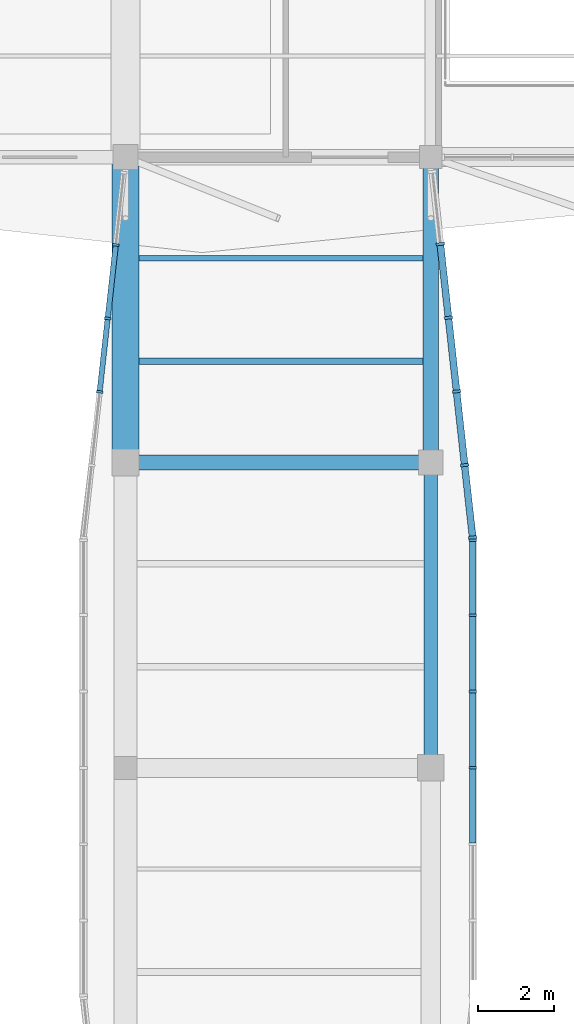
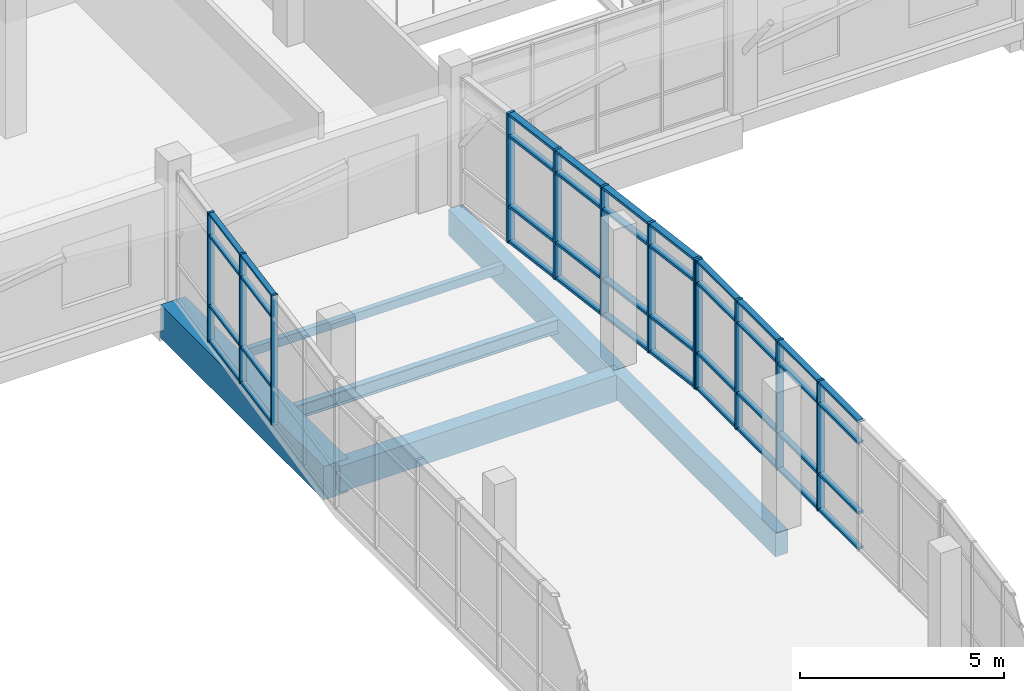
# One storey, part 13 of 84: 52 members, 6 beams, 3 elements without a shape of their own.
"""IFC4 building model written with IfcOpenShell, lengths in metres."""

from ifc_helpers import new_model, si_unit, direction, frame, origin, origin_2d, place, context, subcontext, project, spatial, rectangle, hollow_rectangle, i_section, extrude, material, material_profile, profile_set, type_object, element, aggregate, save


model = new_model("IFC4")

# Units and contexts
model_context = context("Model", 3, precision=1e-05, world=origin(), true_north=direction((0.0, 1.0)))
body_context = subcontext(model_context, "Body", "Model", "MODEL_VIEW")
ifc_project = project(units=[si_unit("LENGTHUNIT", "METRE"), si_unit("AREAUNIT", "SQUARE_METRE"), si_unit("VOLUMEUNIT", "CUBIC_METRE"), si_unit("PLANEANGLEUNIT", "RADIAN"), si_unit("MASSUNIT", "GRAM", prefix="KILO")], contexts=[model_context])

# Site, building, storey
site_placement = place(None, origin())
site = spatial("IfcSite", under=ifc_project, at=site_placement, CompositionType="ELEMENT")
building_placement = place(site_placement, origin())
building = spatial("IfcBuilding", under=site, at=building_placement, Name="Tenunan Teduh Sports Hall", CompositionType="ELEMENT")
storey_placement = place(building_placement, frame((0.0, 0.0, 10.800048828125)))
storey = spatial("IfcBuildingStorey", under=building, at=storey_placement, Name="L02", CompositionType="ELEMENT", Elevation=10.800048828125)

# Beams
ifc_material_1 = material(Name="Concrete C40/50", Category="concrete")
ifc_material_profile_1 = material_profile(ifc_material_1, rectangle(XDim=0.699951171875, YDim=1.0, at=origin_2d()), Name="RCB 700x1000")
ifc_profile_set_1 = profile_set([ifc_material_profile_1], Name="Concrete C40/50")
beam_type_1 = type_object("IfcBeamType", Name="BM-RC-700x1000", PredefinedType="SPANDREL", material=ifc_profile_set_1)
beam_1_placement = place(storey_placement, frame((14.0, 70.0, -0.760009765625), z_axis=(0.0, 1.0, 0.0), x_axis=(-1.0, 0.0, 0.0)))
element("IfcBeam", 1, at=beam_1_placement, inside=storey, type_object=beam_type_1, Name="BM-B-19-L02-1578", PredefinedType="SPANDREL", context=body_context, shape_type="SweptSolid", body=[
    extrude(rectangle(XDim=0.699951171875, YDim=1.0, at=origin_2d()), origin(), (0.0, 0.0, 1.0), 8.0),
])
ifc_material_2 = material(Name="Concrete C40/50", Category="concrete")
ifc_material_profile_2 = material_profile(ifc_material_2, rectangle(XDim=0.35009765625, YDim=0.719970703125, at=origin_2d()), Name="TB 350x720")
ifc_profile_set_2 = profile_set([ifc_material_profile_2], Name="Concrete C40/50")
beam_type_2 = type_object("IfcBeamType", Name="BM-TB-350x720", PredefinedType="T_BEAM", material=ifc_profile_set_2)
beam_2_placement = place(storey_placement, frame((22.0, 62.0, -0.6201171875), z_axis=(0.0, 1.0, 0.0), x_axis=(-1.0, 0.0, 0.0)))
element("IfcBeam", 2, at=beam_2_placement, inside=storey, type_object=beam_type_2, Name="BM-TB-01-L02-1586", PredefinedType="T_BEAM", context=body_context, shape_type="SweptSolid", body=[
    extrude(rectangle(XDim=0.35009765625, YDim=0.719970703125, at=origin_2d()), origin(), (0.0, 0.0, 1.0), 8.0),
])
ifc_material_3 = material(Name="Concrete C40/50", Category="concrete")
ifc_material_profile_3 = material_profile(ifc_material_3, rectangle(XDim=0.39990234375, YDim=0.780029296875, at=origin_2d()), Name="TB 400x780")
ifc_profile_set_3 = profile_set([ifc_material_profile_3], Name="Concrete C40/50")
beam_type_3 = type_object("IfcBeamType", Name="BM-TB-400x780", PredefinedType="T_BEAM", material=ifc_profile_set_3)
for number, where, z_axis, x_axis, name in (
    (3, (14.0, 70.0, -0.650146484375), (1.0, 0.0, 0.0), (0.0, 1.0, 0.0), "BM-TB-02-L02-1480"),
    (4, (22.0, 70.0, -0.650146484375), (0.0, 1.0, 0.0), (-1.0, 0.0, 0.0), "BM-TB-02-L02-1587"),
):
    element("IfcBeam", number, at=place(storey_placement, frame(where, z_axis=z_axis, x_axis=x_axis)), inside=storey, type_object=beam_type_3, Name=name, PredefinedType="T_BEAM", context=body_context, shape_type="SweptSolid", body=[
        extrude(rectangle(XDim=0.39990234375, YDim=0.780029296875, at=origin_2d()), origin(), (0.0, 0.0, 1.0), 8.0),
    ])

# Curtain wall, members
ifc_material_4 = material(Name="Anodised aluminium", Category="aluminium")
curtain_wall_type = type_object("IfcCurtainWallType", Name="CW-BRIDGE-1", PredefinedType="NOTDEFINED", material=ifc_material_4)
curtain_wall_1_placement = place(storey_placement, origin())
curtain_wall_1 = element("IfcCurtainWall", 5, at=curtain_wall_1_placement, inside=storey, type_object=curtain_wall_type, Name="CW-CWM-175-L02-186", PredefinedType="NOTDEFINED")
ifc_material_5 = material(Name="Anodised aluminium", Category="aluminium")
ifc_material_profile_4 = material_profile(ifc_material_5, rectangle(XDim=0.06494140625, YDim=0.175048828125, at=origin_2d()), Name="CWM 65x175")
ifc_profile_set_4 = profile_set([ifc_material_profile_4], Name="Anodised aluminium")
member_type_1 = type_object("IfcMemberType", Name="CWM-175", PredefinedType="MULLION", material=ifc_profile_set_4)
member_1_placement = place(storey_placement, frame((13.323486328125, 71.850341796875, 0.0), z_axis=(0.0, 0.0, 1.0), x_axis=(0.109337035626, 0.994004734717, 0.0)))
member_1 = element("IfcMember", 6, at=member_1_placement, type_object=member_type_1, Name="CW-05 mullion 3", PredefinedType="MULLION", context=body_context, shape_type="SweptSolid", body=[
    extrude(rectangle(XDim=0.06494140625, YDim=0.175048828125, at=origin_2d()), origin(), (0.0, 0.0, 1.0), 3.8798828125),
])
member_2_placement = place(storey_placement, frame((13.535400390625, 73.775390625, 0.0), z_axis=(0.0, 0.0, 1.0), x_axis=(0.109337035626, 0.994004734717, 0.0)))
member_2 = element("IfcMember", 7, at=member_2_placement, type_object=member_type_1, Name="CW-05 mullion 4", PredefinedType="MULLION", context=body_context, shape_type="SweptSolid", body=[
    extrude(rectangle(XDim=0.06494140625, YDim=0.175048828125, at=origin_2d()), origin(), (0.0, 0.0, 1.0), 3.8798828125),
])
member_3_placement = place(storey_placement, frame((13.7470703125, 75.700439453125, 0.0), z_axis=(0.0, 0.0, 1.0), x_axis=(0.109337035626, 0.994004734717, 0.0)))
member_3 = element("IfcMember", 8, at=member_3_placement, type_object=member_type_1, Name="CW-05 mullion 5", PredefinedType="MULLION", context=body_context, shape_type="SweptSolid", body=[
    extrude(rectangle(XDim=0.06494140625, YDim=0.175048828125, at=origin_2d()), origin(), (0.0, 0.0, 1.0), 3.8798828125),
])

curtain_wall_2_placement = place(storey_placement, origin())
curtain_wall_2 = element("IfcCurtainWall", 9, at=curtain_wall_2_placement, inside=storey, type_object=curtain_wall_type, Name="CW-CWM-200-L02-188", PredefinedType="NOTDEFINED")
ifc_material_6 = material(Name="Anodised aluminium", Category="aluminium")
ifc_material_profile_5 = material_profile(ifc_material_6, rectangle(XDim=0.070068359375, YDim=0.199951171875, at=origin_2d()), Name="CWM 70x200")
ifc_profile_set_5 = profile_set([ifc_material_profile_5], Name="Anodised aluminium")
member_type_2 = type_object("IfcMemberType", Name="CWM-200", PredefinedType="MULLION", material=ifc_profile_set_5)
member_4_placement = place(storey_placement, frame((23.10009765625, 62.0, 0.0), z_axis=(0.0, 0.0, 1.0), x_axis=(0.0, 1.0, 0.0)))
member_4 = element("IfcMember", 10, at=member_4_placement, type_object=member_type_2, Name="CW-05 mullion 4", PredefinedType="MULLION", context=body_context, shape_type="SweptSolid", body=[
    extrude(rectangle(XDim=0.070068359375, YDim=0.199951171875, at=origin_2d()), origin(), (0.0, 0.0, 1.0), 3.8798828125),
])
member_5_placement = place(storey_placement, frame((23.10009765625, 64.0, 0.0), z_axis=(0.0, 0.0, 1.0), x_axis=(0.0, 1.0, 0.0)))
member_5 = element("IfcMember", 11, at=member_5_placement, type_object=member_type_2, Name="CW-05 mullion 5", PredefinedType="MULLION", context=body_context, shape_type="SweptSolid", body=[
    extrude(rectangle(XDim=0.070068359375, YDim=0.199951171875, at=origin_2d()), origin(), (0.0, 0.0, 1.0), 3.8798828125),
])
member_6_placement = place(storey_placement, frame((23.10009765625, 66.0, 0.0), z_axis=(0.0, 0.0, 1.0), x_axis=(0.0, 1.0, 0.0)))
member_6 = element("IfcMember", 12, at=member_6_placement, type_object=member_type_2, Name="CW-05 mullion 6", PredefinedType="MULLION", context=body_context, shape_type="SweptSolid", body=[
    extrude(rectangle(XDim=0.070068359375, YDim=0.199951171875, at=origin_2d()), origin(), (0.0, 0.0, 1.0), 3.8798828125),
])
member_7_placement = place(storey_placement, frame((23.10009765625, 67.965087890625, 0.0), z_axis=(0.0, 0.0, 1.0), x_axis=(0.0, 1.0, 0.0)))
member_7 = element("IfcMember", 13, at=member_7_placement, type_object=member_type_2, Name="CW-05 mullion 7", PredefinedType="MULLION", context=body_context, shape_type="SweptSolid", body=[
    extrude(rectangle(XDim=0.070068359375, YDim=0.199951171875, at=origin_2d()), origin(), (0.0, 0.0, 1.0), 3.8798828125),
])

curtain_wall_3_placement = place(storey_placement, origin())
curtain_wall_3 = element("IfcCurtainWall", 14, at=curtain_wall_3_placement, inside=storey, type_object=curtain_wall_type, Name="CW-CWM-220-L02-189", PredefinedType="NOTDEFINED")
ifc_material_7 = material(Name="Anodised aluminium", Category="aluminium")
ifc_material_profile_6 = material_profile(ifc_material_7, rectangle(XDim=0.074951171875, YDim=0.219970703125, at=origin_2d()), Name="CWM 75x220")
ifc_profile_set_6 = profile_set([ifc_material_profile_6], Name="Anodised aluminium")
member_type_3 = type_object("IfcMemberType", Name="CWM-220", PredefinedType="MULLION", material=ifc_profile_set_6)
member_8_placement = place(storey_placement, frame((23.095947265625, 68.037353515625, 0.0), z_axis=(0.0, 0.0, 1.0), x_axis=(-0.109340505356, 0.994004353053, 0.0)))
member_8 = element("IfcMember", 15, at=member_8_placement, type_object=member_type_3, Name="CW-05 mullion 1", PredefinedType="MULLION", context=body_context, shape_type="SweptSolid", body=[
    extrude(rectangle(XDim=0.074951171875, YDim=0.219970703125, at=origin_2d()), origin(), (0.0, 0.0, 1.0), 3.8798828125),
])
member_9_placement = place(storey_placement, frame((22.8876953125, 69.930908203125, 0.0), z_axis=(0.0, 0.0, 1.0), x_axis=(-0.109340505356, 0.994004353053, 0.0)))
member_9 = element("IfcMember", 16, at=member_9_placement, type_object=member_type_3, Name="CW-05 mullion 2", PredefinedType="MULLION", context=body_context, shape_type="SweptSolid", body=[
    extrude(rectangle(XDim=0.074951171875, YDim=0.219970703125, at=origin_2d()), origin(), (0.0, 0.0, 1.0), 3.8798828125),
])
member_10_placement = place(storey_placement, frame((22.67529296875, 71.86181640625, 0.0), z_axis=(0.0, 0.0, 1.0), x_axis=(-0.109340505356, 0.994004353053, 0.0)))
member_10 = element("IfcMember", 17, at=member_10_placement, type_object=member_type_3, Name="CW-05 mullion 3", PredefinedType="MULLION", context=body_context, shape_type="SweptSolid", body=[
    extrude(rectangle(XDim=0.074951171875, YDim=0.219970703125, at=origin_2d()), origin(), (0.0, 0.0, 1.0), 3.8798828125),
])
member_11_placement = place(storey_placement, frame((22.462890625, 73.792724609375, 0.0), z_axis=(0.0, 0.0, 1.0), x_axis=(-0.109340505356, 0.994004353053, 0.0)))
member_11 = element("IfcMember", 18, at=member_11_placement, type_object=member_type_3, Name="CW-05 mullion 4", PredefinedType="MULLION", context=body_context, shape_type="SweptSolid", body=[
    extrude(rectangle(XDim=0.074951171875, YDim=0.219970703125, at=origin_2d()), origin(), (0.0, 0.0, 1.0), 3.8798828125),
])
member_12_placement = place(storey_placement, frame((22.25048828125, 75.7236328125, 0.0), z_axis=(0.0, 0.0, 1.0), x_axis=(-0.109340505356, 0.994004353053, 0.0)))
member_12 = element("IfcMember", 19, at=member_12_placement, type_object=member_type_3, Name="CW-05 mullion 5", PredefinedType="MULLION", context=body_context, shape_type="SweptSolid", body=[
    extrude(rectangle(XDim=0.074951171875, YDim=0.219970703125, at=origin_2d()), origin(), (0.0, 0.0, 1.0), 3.8798828125),
])

# Member
ifc_material_8 = material(Name="Anodised aluminium", Category="aluminium")
ifc_material_profile_7 = material_profile(ifc_material_8, rectangle(XDim=0.06494140625, YDim=0.139892578125, at=origin_2d()), Name="CWT 65x140")
ifc_profile_set_7 = profile_set([ifc_material_profile_7], Name="Anodised aluminium")
member_type_4 = type_object("IfcMemberType", Name="CWT-150", PredefinedType="USERDEFINED", material=ifc_profile_set_7)
member_13_placement = place(storey_placement, frame((13.3271484375, 71.882568359375, 0.032470703125), z_axis=(0.109300529089, 0.99400874963, 0.0), x_axis=(0.0, 0.0, 1.0)))
member_13 = element("IfcMember", 20, at=member_13_placement, type_object=member_type_4, Name="CW-05 transom 3.1", ObjectType="TRANSOM", PredefinedType="USERDEFINED", context=body_context, shape_type="SweptSolid", body=[
    extrude(rectangle(XDim=0.06494140625, YDim=0.139892578125, at=origin_2d()), origin(), (0.0, 0.0, 1.0), 1.871826171875),
])

member_14_placement = place(storey_placement, frame((13.3271484375, 71.882568359375, 1.099853515625), z_axis=(0.109300529089, 0.99400874963, 0.0), x_axis=(0.0, 0.0, 1.0)))
member_14 = element("IfcMember", 21, at=member_14_placement, type_object=member_type_4, Name="CW-05 transom 3.2", ObjectType="TRANSOM", PredefinedType="USERDEFINED", context=body_context, shape_type="SweptSolid", body=[
    extrude(rectangle(XDim=0.06494140625, YDim=0.139892578125, at=origin_2d()), origin(), (0.0, 0.0, 1.0), 1.871826171875),
])

member_15_placement = place(storey_placement, frame((13.3271484375, 71.882568359375, 3.199951171875), z_axis=(0.109300529089, 0.99400874963, 0.0), x_axis=(0.0, 0.0, 1.0)))
member_15 = element("IfcMember", 22, at=member_15_placement, type_object=member_type_4, Name="CW-05 transom 3.3", ObjectType="TRANSOM", PredefinedType="USERDEFINED", context=body_context, shape_type="SweptSolid", body=[
    extrude(rectangle(XDim=0.06494140625, YDim=0.139892578125, at=origin_2d()), origin(), (0.0, 0.0, 1.0), 1.871826171875),
])

member_16_placement = place(storey_placement, frame((13.3271484375, 71.882568359375, 3.847412109375), z_axis=(0.109300529089, 0.99400874963, 0.0), x_axis=(0.0, 0.0, 1.0)))
member_16 = element("IfcMember", 23, at=member_16_placement, type_object=member_type_4, Name="CW-05 transom 3.4", ObjectType="TRANSOM", PredefinedType="USERDEFINED", context=body_context, shape_type="SweptSolid", body=[
    extrude(rectangle(XDim=0.06494140625, YDim=0.139892578125, at=origin_2d()), origin(), (0.0, 0.0, 1.0), 1.871826171875),
])

member_17_placement = place(storey_placement, frame((13.538818359375, 73.8076171875, 0.032470703125), z_axis=(0.109300529089, 0.99400874963, 0.0), x_axis=(0.0, 0.0, 1.0)))
member_17 = element("IfcMember", 24, at=member_17_placement, type_object=member_type_4, Name="CW-05 transom 4.1", ObjectType="TRANSOM", PredefinedType="USERDEFINED", context=body_context, shape_type="SweptSolid", body=[
    extrude(rectangle(XDim=0.06494140625, YDim=0.139892578125, at=origin_2d()), origin(), (0.0, 0.0, 1.0), 1.871826171875),
])

member_18_placement = place(storey_placement, frame((13.538818359375, 73.8076171875, 1.099853515625), z_axis=(0.109300529089, 0.99400874963, 0.0), x_axis=(0.0, 0.0, 1.0)))
member_18 = element("IfcMember", 25, at=member_18_placement, type_object=member_type_4, Name="CW-05 transom 4.2", ObjectType="TRANSOM", PredefinedType="USERDEFINED", context=body_context, shape_type="SweptSolid", body=[
    extrude(rectangle(XDim=0.06494140625, YDim=0.139892578125, at=origin_2d()), origin(), (0.0, 0.0, 1.0), 1.871826171875),
])

member_19_placement = place(storey_placement, frame((13.538818359375, 73.8076171875, 3.199951171875), z_axis=(0.109300529089, 0.99400874963, 0.0), x_axis=(0.0, 0.0, 1.0)))
member_19 = element("IfcMember", 26, at=member_19_placement, type_object=member_type_4, Name="CW-05 transom 4.3", ObjectType="TRANSOM", PredefinedType="USERDEFINED", context=body_context, shape_type="SweptSolid", body=[
    extrude(rectangle(XDim=0.06494140625, YDim=0.139892578125, at=origin_2d()), origin(), (0.0, 0.0, 1.0), 1.871826171875),
])

member_20_placement = place(storey_placement, frame((13.538818359375, 73.8076171875, 3.847412109375), z_axis=(0.109300529089, 0.99400874963, 0.0), x_axis=(0.0, 0.0, 1.0)))
member_20 = element("IfcMember", 27, at=member_20_placement, type_object=member_type_4, Name="CW-05 transom 4.4", ObjectType="TRANSOM", PredefinedType="USERDEFINED", context=body_context, shape_type="SweptSolid", body=[
    extrude(rectangle(XDim=0.06494140625, YDim=0.139892578125, at=origin_2d()), origin(), (0.0, 0.0, 1.0), 1.871826171875),
])

aggregate(curtain_wall_1, [member_1, member_2, member_3, member_13, member_14, member_15, member_16, member_17, member_18, member_19, member_20])

ifc_material_9 = material(Name="Anodised aluminium", Category="aluminium")
ifc_material_profile_8 = material_profile(ifc_material_9, rectangle(XDim=0.074951171875, YDim=0.179931640625, at=origin_2d()), Name="CWT 75x180")
ifc_profile_set_8 = profile_set([ifc_material_profile_8], Name="Anodised aluminium")
member_type_5 = type_object("IfcMemberType", Name="CWT-180", PredefinedType="USERDEFINED", material=ifc_profile_set_8)
member_21_placement = place(storey_placement, frame((23.091796875, 68.074462890625, 0.037353515625), z_axis=(-0.109391884844, 0.993998699964, 0.0), x_axis=(0.0, 0.0, 1.0)))
member_21 = element("IfcMember", 28, at=member_21_placement, type_object=member_type_5, Name="CW-05 transom 1.1", ObjectType="TRANSOM", PredefinedType="USERDEFINED", context=body_context, shape_type="SweptSolid", body=[
    extrude(rectangle(XDim=0.074951171875, YDim=0.179931640625, at=origin_2d()), origin(), (0.0, 0.0, 1.0), 1.830078125),
])

member_22_placement = place(storey_placement, frame((23.091796875, 68.074462890625, 1.099853515625), z_axis=(-0.109391884844, 0.993998699964, 0.0), x_axis=(0.0, 0.0, 1.0)))
member_22 = element("IfcMember", 29, at=member_22_placement, type_object=member_type_5, Name="CW-05 transom 1.2", ObjectType="TRANSOM", PredefinedType="USERDEFINED", context=body_context, shape_type="SweptSolid", body=[
    extrude(rectangle(XDim=0.074951171875, YDim=0.179931640625, at=origin_2d()), origin(), (0.0, 0.0, 1.0), 1.830078125),
])

member_23_placement = place(storey_placement, frame((23.091796875, 68.074462890625, 3.199951171875), z_axis=(-0.109391884844, 0.993998699964, 0.0), x_axis=(0.0, 0.0, 1.0)))
member_23 = element("IfcMember", 30, at=member_23_placement, type_object=member_type_5, Name="CW-05 transom 1.3", ObjectType="TRANSOM", PredefinedType="USERDEFINED", context=body_context, shape_type="SweptSolid", body=[
    extrude(rectangle(XDim=0.074951171875, YDim=0.179931640625, at=origin_2d()), origin(), (0.0, 0.0, 1.0), 1.830078125),
])

member_24_placement = place(storey_placement, frame((23.091796875, 68.074462890625, 3.842529296875), z_axis=(-0.109391884844, 0.993998699964, 0.0), x_axis=(0.0, 0.0, 1.0)))
member_24 = element("IfcMember", 31, at=member_24_placement, type_object=member_type_5, Name="CW-05 transom 1.4", ObjectType="TRANSOM", PredefinedType="USERDEFINED", context=body_context, shape_type="SweptSolid", body=[
    extrude(rectangle(XDim=0.074951171875, YDim=0.179931640625, at=origin_2d()), origin(), (0.0, 0.0, 1.0), 1.830078125),
])

member_25_placement = place(storey_placement, frame((22.883544921875, 69.96826171875, 0.037353515625), z_axis=(-0.109427025439, 0.993994832031, 0.0), x_axis=(0.0, 0.0, 1.0)))
member_25 = element("IfcMember", 32, at=member_25_placement, type_object=member_type_5, Name="CW-05 transom 2.1", ObjectType="TRANSOM", PredefinedType="USERDEFINED", context=body_context, shape_type="SweptSolid", body=[
    extrude(rectangle(XDim=0.074951171875, YDim=0.179931640625, at=origin_2d()), origin(), (0.0, 0.0, 1.0), 1.867431640625),
])

member_26_placement = place(storey_placement, frame((22.883544921875, 69.96826171875, 1.099853515625), z_axis=(-0.109427025439, 0.993994832031, 0.0), x_axis=(0.0, 0.0, 1.0)))
member_26 = element("IfcMember", 33, at=member_26_placement, type_object=member_type_5, Name="CW-05 transom 2.2", ObjectType="TRANSOM", PredefinedType="USERDEFINED", context=body_context, shape_type="SweptSolid", body=[
    extrude(rectangle(XDim=0.074951171875, YDim=0.179931640625, at=origin_2d()), origin(), (0.0, 0.0, 1.0), 1.867431640625),
])

member_27_placement = place(storey_placement, frame((22.883544921875, 69.96826171875, 3.199951171875), z_axis=(-0.109427025439, 0.993994832031, 0.0), x_axis=(0.0, 0.0, 1.0)))
member_27 = element("IfcMember", 34, at=member_27_placement, type_object=member_type_5, Name="CW-05 transom 2.3", ObjectType="TRANSOM", PredefinedType="USERDEFINED", context=body_context, shape_type="SweptSolid", body=[
    extrude(rectangle(XDim=0.074951171875, YDim=0.179931640625, at=origin_2d()), origin(), (0.0, 0.0, 1.0), 1.867431640625),
])

member_28_placement = place(storey_placement, frame((22.883544921875, 69.96826171875, 3.842529296875), z_axis=(-0.109427025439, 0.993994832031, 0.0), x_axis=(0.0, 0.0, 1.0)))
member_28 = element("IfcMember", 35, at=member_28_placement, type_object=member_type_5, Name="CW-05 transom 2.4", ObjectType="TRANSOM", PredefinedType="USERDEFINED", context=body_context, shape_type="SweptSolid", body=[
    extrude(rectangle(XDim=0.074951171875, YDim=0.179931640625, at=origin_2d()), origin(), (0.0, 0.0, 1.0), 1.867431640625),
])

member_29_placement = place(storey_placement, frame((22.671142578125, 71.899169921875, 0.037353515625), z_axis=(-0.109427025439, 0.993994832031, 0.0), x_axis=(0.0, 0.0, 1.0)))
member_29 = element("IfcMember", 36, at=member_29_placement, type_object=member_type_5, Name="CW-05 transom 3.1", ObjectType="TRANSOM", PredefinedType="USERDEFINED", context=body_context, shape_type="SweptSolid", body=[
    extrude(rectangle(XDim=0.074951171875, YDim=0.179931640625, at=origin_2d()), origin(), (0.0, 0.0, 1.0), 1.867431640625),
])

member_30_placement = place(storey_placement, frame((22.671142578125, 71.899169921875, 1.099853515625), z_axis=(-0.109427025439, 0.993994832031, 0.0), x_axis=(0.0, 0.0, 1.0)))
member_30 = element("IfcMember", 37, at=member_30_placement, type_object=member_type_5, Name="CW-05 transom 3.2", ObjectType="TRANSOM", PredefinedType="USERDEFINED", context=body_context, shape_type="SweptSolid", body=[
    extrude(rectangle(XDim=0.074951171875, YDim=0.179931640625, at=origin_2d()), origin(), (0.0, 0.0, 1.0), 1.867431640625),
])

member_31_placement = place(storey_placement, frame((22.671142578125, 71.899169921875, 3.199951171875), z_axis=(-0.109427025439, 0.993994832031, 0.0), x_axis=(0.0, 0.0, 1.0)))
member_31 = element("IfcMember", 38, at=member_31_placement, type_object=member_type_5, Name="CW-05 transom 3.3", ObjectType="TRANSOM", PredefinedType="USERDEFINED", context=body_context, shape_type="SweptSolid", body=[
    extrude(rectangle(XDim=0.074951171875, YDim=0.179931640625, at=origin_2d()), origin(), (0.0, 0.0, 1.0), 1.867431640625),
])

member_32_placement = place(storey_placement, frame((22.671142578125, 71.899169921875, 3.842529296875), z_axis=(-0.109427025439, 0.993994832031, 0.0), x_axis=(0.0, 0.0, 1.0)))
member_32 = element("IfcMember", 39, at=member_32_placement, type_object=member_type_5, Name="CW-05 transom 3.4", ObjectType="TRANSOM", PredefinedType="USERDEFINED", context=body_context, shape_type="SweptSolid", body=[
    extrude(rectangle(XDim=0.074951171875, YDim=0.179931640625, at=origin_2d()), origin(), (0.0, 0.0, 1.0), 1.867431640625),
])

member_33_placement = place(storey_placement, frame((22.458740234375, 73.830078125, 0.037353515625), z_axis=(-0.109427025439, 0.993994832031, 0.0), x_axis=(0.0, 0.0, 1.0)))
member_33 = element("IfcMember", 40, at=member_33_placement, type_object=member_type_5, Name="CW-05 transom 4.1", ObjectType="TRANSOM", PredefinedType="USERDEFINED", context=body_context, shape_type="SweptSolid", body=[
    extrude(rectangle(XDim=0.074951171875, YDim=0.179931640625, at=origin_2d()), origin(), (0.0, 0.0, 1.0), 1.867431640625),
])

member_34_placement = place(storey_placement, frame((22.458740234375, 73.830078125, 1.099853515625), z_axis=(-0.109427025439, 0.993994832031, 0.0), x_axis=(0.0, 0.0, 1.0)))
member_34 = element("IfcMember", 41, at=member_34_placement, type_object=member_type_5, Name="CW-05 transom 4.2", ObjectType="TRANSOM", PredefinedType="USERDEFINED", context=body_context, shape_type="SweptSolid", body=[
    extrude(rectangle(XDim=0.074951171875, YDim=0.179931640625, at=origin_2d()), origin(), (0.0, 0.0, 1.0), 1.867431640625),
])

member_35_placement = place(storey_placement, frame((22.458740234375, 73.830078125, 3.199951171875), z_axis=(-0.109427025439, 0.993994832031, 0.0), x_axis=(0.0, 0.0, 1.0)))
member_35 = element("IfcMember", 42, at=member_35_placement, type_object=member_type_5, Name="CW-05 transom 4.3", ObjectType="TRANSOM", PredefinedType="USERDEFINED", context=body_context, shape_type="SweptSolid", body=[
    extrude(rectangle(XDim=0.074951171875, YDim=0.179931640625, at=origin_2d()), origin(), (0.0, 0.0, 1.0), 1.867431640625),
])

member_36_placement = place(storey_placement, frame((22.458740234375, 73.830078125, 3.842529296875), z_axis=(-0.109427025439, 0.993994832031, 0.0), x_axis=(0.0, 0.0, 1.0)))
member_36 = element("IfcMember", 43, at=member_36_placement, type_object=member_type_5, Name="CW-05 transom 4.4", ObjectType="TRANSOM", PredefinedType="USERDEFINED", context=body_context, shape_type="SweptSolid", body=[
    extrude(rectangle(XDim=0.074951171875, YDim=0.179931640625, at=origin_2d()), origin(), (0.0, 0.0, 1.0), 1.867431640625),
])

aggregate(curtain_wall_3, [member_8, member_9, member_10, member_11, member_12, member_21, member_22, member_23, member_24, member_25, member_26, member_27, member_28, member_29, member_30, member_31, member_32, member_33, member_34, member_35, member_36])

ifc_material_10 = material(Name="Anodised aluminium", Category="aluminium")
ifc_material_profile_9 = material_profile(ifc_material_10, rectangle(XDim=0.070068359375, YDim=0.159912109375, at=origin_2d()), Name="CWT 70x160")
ifc_profile_set_9 = profile_set([ifc_material_profile_9], Name="Anodised aluminium")
member_type_6 = type_object("IfcMemberType", Name="CWT-200", PredefinedType="USERDEFINED", material=ifc_profile_set_9)
member_37_placement = place(storey_placement, frame((23.10009765625, 60.034912109375, 0.034912109375), z_axis=(0.0, 1.0, 0.0), x_axis=(0.0, 0.0, 1.0)))
member_37 = element("IfcMember", 44, at=member_37_placement, type_object=member_type_6, Name="CW-05 transom 3.1", ObjectType="TRANSOM", PredefinedType="USERDEFINED", context=body_context, shape_type="SweptSolid", body=[
    extrude(rectangle(XDim=0.070068359375, YDim=0.159912109375, at=origin_2d()), origin(), (0.0, 0.0, 1.0), 1.93017578125),
])

member_38_placement = place(storey_placement, frame((23.10009765625, 60.034912109375, 1.099853515625), z_axis=(0.0, 1.0, 0.0), x_axis=(0.0, 0.0, 1.0)))
member_38 = element("IfcMember", 45, at=member_38_placement, type_object=member_type_6, Name="CW-05 transom 3.2", ObjectType="TRANSOM", PredefinedType="USERDEFINED", context=body_context, shape_type="SweptSolid", body=[
    extrude(rectangle(XDim=0.070068359375, YDim=0.159912109375, at=origin_2d()), origin(), (0.0, 0.0, 1.0), 1.93017578125),
])

member_39_placement = place(storey_placement, frame((23.10009765625, 60.034912109375, 3.199951171875), z_axis=(0.0, 1.0, 0.0), x_axis=(0.0, 0.0, 1.0)))
member_39 = element("IfcMember", 46, at=member_39_placement, type_object=member_type_6, Name="CW-05 transom 3.3", ObjectType="TRANSOM", PredefinedType="USERDEFINED", context=body_context, shape_type="SweptSolid", body=[
    extrude(rectangle(XDim=0.070068359375, YDim=0.159912109375, at=origin_2d()), origin(), (0.0, 0.0, 1.0), 1.93017578125),
])

member_40_placement = place(storey_placement, frame((23.10009765625, 60.034912109375, 3.844970703125), z_axis=(0.0, 1.0, 0.0), x_axis=(0.0, 0.0, 1.0)))
member_40 = element("IfcMember", 47, at=member_40_placement, type_object=member_type_6, Name="CW-05 transom 3.4", ObjectType="TRANSOM", PredefinedType="USERDEFINED", context=body_context, shape_type="SweptSolid", body=[
    extrude(rectangle(XDim=0.070068359375, YDim=0.159912109375, at=origin_2d()), origin(), (0.0, 0.0, 1.0), 1.93017578125),
])

member_41_placement = place(storey_placement, frame((23.10009765625, 62.034912109375, 0.034912109375), z_axis=(0.0, 1.0, 0.0), x_axis=(0.0, 0.0, 1.0)))
member_41 = element("IfcMember", 48, at=member_41_placement, type_object=member_type_6, Name="CW-05 transom 4.1", ObjectType="TRANSOM", PredefinedType="USERDEFINED", context=body_context, shape_type="SweptSolid", body=[
    extrude(rectangle(XDim=0.070068359375, YDim=0.159912109375, at=origin_2d()), origin(), (0.0, 0.0, 1.0), 1.93017578125),
])

member_42_placement = place(storey_placement, frame((23.10009765625, 62.034912109375, 1.099853515625), z_axis=(0.0, 1.0, 0.0), x_axis=(0.0, 0.0, 1.0)))
member_42 = element("IfcMember", 49, at=member_42_placement, type_object=member_type_6, Name="CW-05 transom 4.2", ObjectType="TRANSOM", PredefinedType="USERDEFINED", context=body_context, shape_type="SweptSolid", body=[
    extrude(rectangle(XDim=0.070068359375, YDim=0.159912109375, at=origin_2d()), origin(), (0.0, 0.0, 1.0), 1.93017578125),
])

member_43_placement = place(storey_placement, frame((23.10009765625, 62.034912109375, 3.199951171875), z_axis=(0.0, 1.0, 0.0), x_axis=(0.0, 0.0, 1.0)))
member_43 = element("IfcMember", 50, at=member_43_placement, type_object=member_type_6, Name="CW-05 transom 4.3", ObjectType="TRANSOM", PredefinedType="USERDEFINED", context=body_context, shape_type="SweptSolid", body=[
    extrude(rectangle(XDim=0.070068359375, YDim=0.159912109375, at=origin_2d()), origin(), (0.0, 0.0, 1.0), 1.93017578125),
])

member_44_placement = place(storey_placement, frame((23.10009765625, 62.034912109375, 3.844970703125), z_axis=(0.0, 1.0, 0.0), x_axis=(0.0, 0.0, 1.0)))
member_44 = element("IfcMember", 51, at=member_44_placement, type_object=member_type_6, Name="CW-05 transom 4.4", ObjectType="TRANSOM", PredefinedType="USERDEFINED", context=body_context, shape_type="SweptSolid", body=[
    extrude(rectangle(XDim=0.070068359375, YDim=0.159912109375, at=origin_2d()), origin(), (0.0, 0.0, 1.0), 1.93017578125),
])

member_45_placement = place(storey_placement, frame((23.10009765625, 64.034912109375, 0.034912109375), z_axis=(0.0, 1.0, 0.0), x_axis=(0.0, 0.0, 1.0)))
member_45 = element("IfcMember", 52, at=member_45_placement, type_object=member_type_6, Name="CW-05 transom 5.1", ObjectType="TRANSOM", PredefinedType="USERDEFINED", context=body_context, shape_type="SweptSolid", body=[
    extrude(rectangle(XDim=0.070068359375, YDim=0.159912109375, at=origin_2d()), origin(), (0.0, 0.0, 1.0), 1.93017578125),
])

member_46_placement = place(storey_placement, frame((23.10009765625, 64.034912109375, 1.099853515625), z_axis=(0.0, 1.0, 0.0), x_axis=(0.0, 0.0, 1.0)))
member_46 = element("IfcMember", 53, at=member_46_placement, type_object=member_type_6, Name="CW-05 transom 5.2", ObjectType="TRANSOM", PredefinedType="USERDEFINED", context=body_context, shape_type="SweptSolid", body=[
    extrude(rectangle(XDim=0.070068359375, YDim=0.159912109375, at=origin_2d()), origin(), (0.0, 0.0, 1.0), 1.93017578125),
])

member_47_placement = place(storey_placement, frame((23.10009765625, 64.034912109375, 3.199951171875), z_axis=(0.0, 1.0, 0.0), x_axis=(0.0, 0.0, 1.0)))
member_47 = element("IfcMember", 54, at=member_47_placement, type_object=member_type_6, Name="CW-05 transom 5.3", ObjectType="TRANSOM", PredefinedType="USERDEFINED", context=body_context, shape_type="SweptSolid", body=[
    extrude(rectangle(XDim=0.070068359375, YDim=0.159912109375, at=origin_2d()), origin(), (0.0, 0.0, 1.0), 1.93017578125),
])

member_48_placement = place(storey_placement, frame((23.10009765625, 64.034912109375, 3.844970703125), z_axis=(0.0, 1.0, 0.0), x_axis=(0.0, 0.0, 1.0)))
member_48 = element("IfcMember", 55, at=member_48_placement, type_object=member_type_6, Name="CW-05 transom 5.4", ObjectType="TRANSOM", PredefinedType="USERDEFINED", context=body_context, shape_type="SweptSolid", body=[
    extrude(rectangle(XDim=0.070068359375, YDim=0.159912109375, at=origin_2d()), origin(), (0.0, 0.0, 1.0), 1.93017578125),
])

member_49_placement = place(storey_placement, frame((23.10009765625, 66.034912109375, 0.034912109375), z_axis=(0.0, 1.0, 0.0), x_axis=(0.0, 0.0, 1.0)))
member_49 = element("IfcMember", 56, at=member_49_placement, type_object=member_type_6, Name="CW-05 transom 6.1", ObjectType="TRANSOM", PredefinedType="USERDEFINED", context=body_context, shape_type="SweptSolid", body=[
    extrude(rectangle(XDim=0.070068359375, YDim=0.159912109375, at=origin_2d()), origin(), (0.0, 0.0, 1.0), 1.89501953125),
])

member_50_placement = place(storey_placement, frame((23.10009765625, 66.034912109375, 1.099853515625), z_axis=(0.0, 1.0, 0.0), x_axis=(0.0, 0.0, 1.0)))
member_50 = element("IfcMember", 57, at=member_50_placement, type_object=member_type_6, Name="CW-05 transom 6.2", ObjectType="TRANSOM", PredefinedType="USERDEFINED", context=body_context, shape_type="SweptSolid", body=[
    extrude(rectangle(XDim=0.070068359375, YDim=0.159912109375, at=origin_2d()), origin(), (0.0, 0.0, 1.0), 1.89501953125),
])

member_51_placement = place(storey_placement, frame((23.10009765625, 66.034912109375, 3.199951171875), z_axis=(0.0, 1.0, 0.0), x_axis=(0.0, 0.0, 1.0)))
member_51 = element("IfcMember", 58, at=member_51_placement, type_object=member_type_6, Name="CW-05 transom 6.3", ObjectType="TRANSOM", PredefinedType="USERDEFINED", context=body_context, shape_type="SweptSolid", body=[
    extrude(rectangle(XDim=0.070068359375, YDim=0.159912109375, at=origin_2d()), origin(), (0.0, 0.0, 1.0), 1.89501953125),
])

member_52_placement = place(storey_placement, frame((23.10009765625, 66.034912109375, 3.844970703125), z_axis=(0.0, 1.0, 0.0), x_axis=(0.0, 0.0, 1.0)))
member_52 = element("IfcMember", 59, at=member_52_placement, type_object=member_type_6, Name="CW-05 transom 6.4", ObjectType="TRANSOM", PredefinedType="USERDEFINED", context=body_context, shape_type="SweptSolid", body=[
    extrude(rectangle(XDim=0.070068359375, YDim=0.159912109375, at=origin_2d()), origin(), (0.0, 0.0, 1.0), 1.89501953125),
])

aggregate(curtain_wall_2, [member_4, member_5, member_6, member_7, member_37, member_38, member_39, member_40, member_41, member_42, member_43, member_44, member_45, member_46, member_47, member_48, member_49, member_50, member_51, member_52])

# Beams
ifc_material_11 = material(Name="Steel S355", Category="steel")
ifc_material_profile_10 = material_profile(ifc_material_11, hollow_rectangle(XDim=0.14990234375, YDim=0.25, WallThickness=0.010009765625, at=origin_2d()), Name="RHS 250x150x10.0")
ifc_profile_set_10 = profile_set([ifc_material_profile_10], Name="Steel S355")
beam_type_4 = type_object("IfcBeamType", Name="RBM-RHS250", PredefinedType="BEAM", material=ifc_profile_set_10)
beam_3_placement = place(storey_placement, frame((14.35009765625, 75.35009765625, -0.385009765625), z_axis=(1.0, 0.0, 0.0), x_axis=(0.0, 1.0, 0.0)))
element("IfcBeam", 60, at=beam_3_placement, inside=storey, type_object=beam_type_4, Name="Perimeter Ring Beam BM-RB-04-L02-1691", PredefinedType="BEAM", context=body_context, shape_type="SweptSolid", body=[
    extrude(hollow_rectangle(XDim=0.14990234375, YDim=0.25, WallThickness=0.010009765625, at=origin_2d()), origin(), (0.0, 0.0, 1.0), 7.449951171875),
])
ifc_material_12 = material(Name="Steel S355", Category="steel")
ifc_material_profile_11 = material_profile(ifc_material_12, i_section(OverallWidth=0.177978515625, OverallDepth=0.406494140625, WebThickness=0.0078125, FlangeThickness=0.0126953125, FilletRadius=0.01025390625, at=origin_2d()), Name="UKB 406x178x60")
ifc_profile_set_11 = profile_set([ifc_material_profile_11], Name="Steel S355")
beam_type_5 = type_object("IfcBeamType", Name="SBM-UKB406", PredefinedType="BEAM", material=ifc_profile_set_11)
beam_4_placement = place(storey_placement, frame((14.35009765625, 72.64990234375, -0.463134765625), z_axis=(1.0, 0.0, 0.0), x_axis=(0.0, 1.0, 0.0)))
element("IfcBeam", 61, at=beam_4_placement, inside=storey, type_object=beam_type_5, Name="BM-SB-03-L02-1690", PredefinedType="BEAM", context=body_context, shape_type="SweptSolid", body=[
    extrude(i_section(OverallWidth=0.177978515625, OverallDepth=0.406494140625, WebThickness=0.0078125, FlangeThickness=0.0126953125, FilletRadius=0.01025390625, at=origin_2d()), origin(), (0.0, 0.0, 1.0), 7.449951171875),
])

save(model, "model.ifc")
